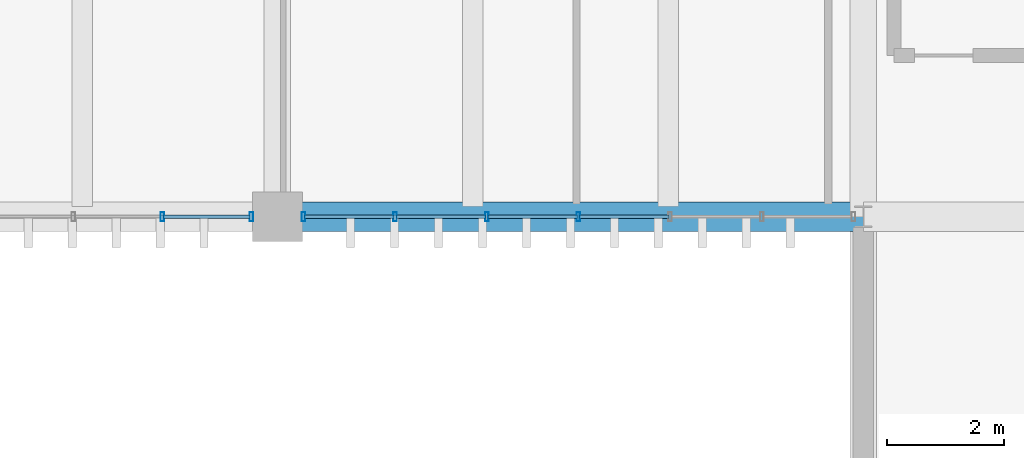
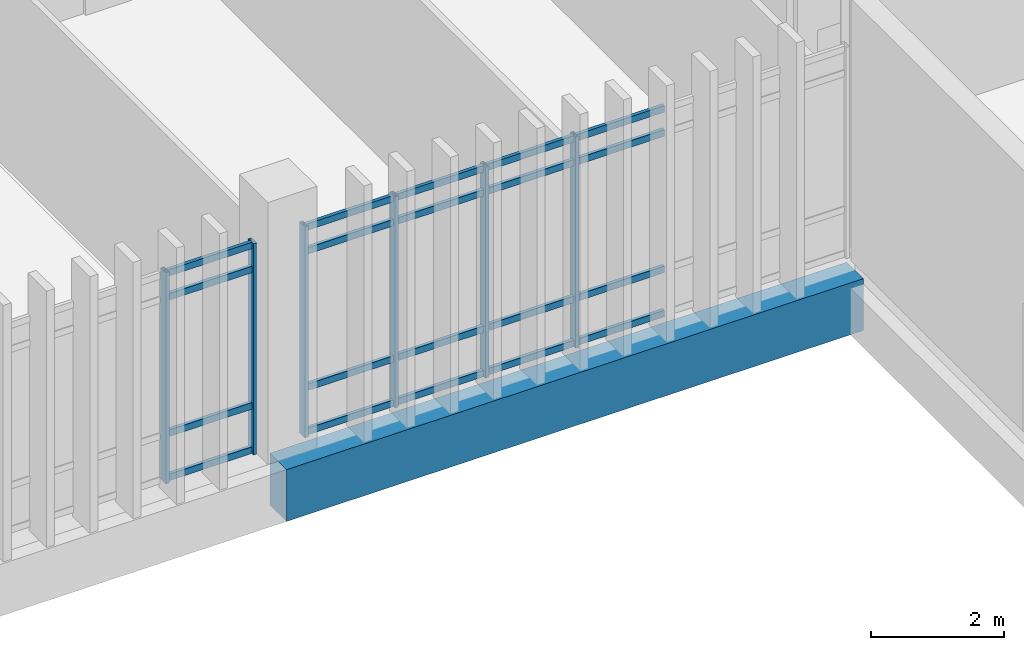
# One storey, part 46 of 87: 26 members, 1 beam, 2 elements without a shape of their own.
"""IFC4 building model written with IfcOpenShell, lengths in metres."""

from ifc_helpers import new_model, si_unit, direction, frame, origin, origin_2d, place, context, subcontext, project, spatial, rectangle, hollow_rectangle, extrude, material, layer, layer_set, material_profile, profile_set, type_object, element, aggregate, save


model = new_model("IFC4")

# Units and contexts
model_context = context("Model", 3, precision=1e-05, world=origin(), true_north=direction((0.0, 1.0)))
body_context = subcontext(model_context, "Body", "Model", "MODEL_VIEW")
ifc_project = project(units=[si_unit("LENGTHUNIT", "METRE"), si_unit("AREAUNIT", "SQUARE_METRE"), si_unit("VOLUMEUNIT", "CUBIC_METRE"), si_unit("PLANEANGLEUNIT", "RADIAN"), si_unit("MASSUNIT", "GRAM", prefix="KILO")], contexts=[model_context])

# Site, building, storey
site_placement = place(None, origin())
site = spatial("IfcSite", under=ifc_project, at=site_placement, CompositionType="ELEMENT")
building_placement = place(site_placement, origin())
building = spatial("IfcBuilding", under=site, at=building_placement, Name="Mersad Railyard Sports Hall", CompositionType="ELEMENT")
storey_placement = place(building_placement, origin())
storey = spatial("IfcBuildingStorey", under=building, at=storey_placement, Name="L00", CompositionType="ELEMENT", Elevation=0.0)

# Curtain wall, members
ifc_material_1 = material(Name="Aluminium 6063-T6", Category="aluminium")
ifc_layer_1 = layer(ifc_material_1, 0.159912109375)
ifc_layer_set_1 = layer_set([ifc_layer_1], Name="Aluminium 6063-T6")
curtain_wall_type_1 = type_object("IfcCurtainWallType", Name="ARC-CW-CW32", PredefinedType="USERDEFINED", material=ifc_layer_set_1)
curtain_wall_1_placement = place(storey_placement, origin())
curtain_wall_1 = element("IfcCurtainWall", 1, at=curtain_wall_1_placement, inside=storey, type_object=curtain_wall_type_1, Name="Curtain wall CW32-0093", ObjectType="CURTAIN WALL", PredefinedType="USERDEFINED")
ifc_material_profile_1 = material_profile(ifc_material_1, hollow_rectangle(XDim=0.06005859375, YDim=0.159912109375, WallThickness=0.00390625, at=origin_2d()), Name="AL MULLION 60x160x4")
ifc_profile_set_1 = profile_set([ifc_material_profile_1], Name="Aluminium 6063-T6")
member_type_1 = type_object("IfcMemberType", Name="ARC-CW-MUL01", PredefinedType="MULLION", material=ifc_profile_set_1)
member_1_placement = place(storey_placement, frame((120.554931640625, 85.0, -0.02001953125), z_axis=(0.0, 0.0, 1.0), x_axis=(1.0, 0.0, 0.0)))
member_1 = element("IfcMember", 2, at=member_1_placement, type_object=member_type_1, Name="CW32 Mullion 1", PredefinedType="MULLION", context=body_context, shape_type="SweptSolid", body=[
    extrude(hollow_rectangle(XDim=0.06005859375, YDim=0.159912109375, WallThickness=0.00390625, at=origin_2d()), origin(), (0.0, 0.0, 1.0), 3.8701171875),
])
member_2_placement = place(storey_placement, frame((119.03662109375, 85.0, -0.02001953125), z_axis=(0.0, 0.0, 1.0), x_axis=(1.0, 0.0, 0.0)))
member_2 = element("IfcMember", 3, at=member_2_placement, type_object=member_type_1, Name="CW32 Mullion 2", PredefinedType="MULLION", context=body_context, shape_type="SweptSolid", body=[
    extrude(hollow_rectangle(XDim=0.06005859375, YDim=0.159912109375, WallThickness=0.00390625, at=origin_2d()), origin(), (0.0, 0.0, 1.0), 3.8701171875),
])

ifc_layer_2 = layer(ifc_material_1, 0.159912109375)
ifc_layer_set_2 = layer_set([ifc_layer_2], Name="Aluminium 6063-T6")
curtain_wall_type_2 = type_object("IfcCurtainWallType", Name="ARC-CW-CW33", PredefinedType="USERDEFINED", material=ifc_layer_set_2)
curtain_wall_2_placement = place(storey_placement, origin())
curtain_wall_2 = element("IfcCurtainWall", 4, at=curtain_wall_2_placement, inside=storey, type_object=curtain_wall_type_2, Name="Curtain wall CW33-0094", ObjectType="CURTAIN WALL", PredefinedType="USERDEFINED")
member_3_placement = place(storey_placement, frame((126.137451171875, 85.0, -0.02001953125), z_axis=(0.0, 0.0, 1.0), x_axis=(1.0, 0.0, 0.0)))
member_3 = element("IfcMember", 5, at=member_3_placement, type_object=member_type_1, Name="CW33 Mullion 4", PredefinedType="MULLION", context=body_context, shape_type="SweptSolid", body=[
    extrude(hollow_rectangle(XDim=0.06005859375, YDim=0.159912109375, WallThickness=0.00390625, at=origin_2d()), origin(), (0.0, 0.0, 1.0), 3.8701171875),
])
member_4_placement = place(storey_placement, frame((124.5732421875, 85.0, -0.02001953125), z_axis=(0.0, 0.0, 1.0), x_axis=(1.0, 0.0, 0.0)))
member_4 = element("IfcMember", 6, at=member_4_placement, type_object=member_type_1, Name="CW33 Mullion 5", PredefinedType="MULLION", context=body_context, shape_type="SweptSolid", body=[
    extrude(hollow_rectangle(XDim=0.06005859375, YDim=0.159912109375, WallThickness=0.00390625, at=origin_2d()), origin(), (0.0, 0.0, 1.0), 3.8701171875),
])
member_5_placement = place(storey_placement, frame((123.00927734375, 85.0, -0.02001953125), z_axis=(0.0, 0.0, 1.0), x_axis=(1.0, 0.0, 0.0)))
member_5 = element("IfcMember", 7, at=member_5_placement, type_object=member_type_1, Name="CW33 Mullion 6", PredefinedType="MULLION", context=body_context, shape_type="SweptSolid", body=[
    extrude(hollow_rectangle(XDim=0.06005859375, YDim=0.159912109375, WallThickness=0.00390625, at=origin_2d()), origin(), (0.0, 0.0, 1.0), 3.8701171875),
])
member_6_placement = place(storey_placement, frame((121.445068359375, 85.0, -0.02001953125), z_axis=(0.0, 0.0, 1.0), x_axis=(1.0, 0.0, 0.0)))
member_6 = element("IfcMember", 8, at=member_6_placement, type_object=member_type_1, Name="CW33 Mullion 7", PredefinedType="MULLION", context=body_context, shape_type="SweptSolid", body=[
    extrude(hollow_rectangle(XDim=0.06005859375, YDim=0.159912109375, WallThickness=0.00390625, at=origin_2d()), origin(), (0.0, 0.0, 1.0), 3.8701171875),
])

# Member
ifc_material_profile_2 = material_profile(ifc_material_1, hollow_rectangle(XDim=0.06005859375, YDim=0.1201171875, WallThickness=0.00390625, at=origin_2d()), Name="AL TRANSOM 60x120x4")
ifc_profile_set_2 = profile_set([ifc_material_profile_2], Name="Aluminium 6063-T6")
member_type_2 = type_object("IfcMemberType", Name="ARC-CW-TRN01", PredefinedType="USERDEFINED", material=ifc_profile_set_2)
member_7_placement = place(storey_placement, frame((120.534912109375, 85.0, 0.0400390625), z_axis=(-1.0, 0.0, 0.0), x_axis=(0.0, -1.0, 0.0)))
member_7 = element("IfcMember", 9, at=member_7_placement, type_object=member_type_2, Name="CW32 Transom 1-1", ObjectType="TRANSOM", PredefinedType="USERDEFINED", context=body_context, shape_type="SweptSolid", body=[
    extrude(hollow_rectangle(XDim=0.06005859375, YDim=0.1201171875, WallThickness=0.00390625, at=origin_2d()), origin(), (0.0, 0.0, 1.0), 1.478271484375),
])

member_8_placement = place(storey_placement, frame((120.534912109375, 85.0, 0.85009765625), z_axis=(-1.0, 0.0, 0.0), x_axis=(0.0, -1.0, 0.0)))
member_8 = element("IfcMember", 10, at=member_8_placement, type_object=member_type_2, Name="CW32 Transom 2-1", ObjectType="TRANSOM", PredefinedType="USERDEFINED", context=body_context, shape_type="SweptSolid", body=[
    extrude(hollow_rectangle(XDim=0.06005859375, YDim=0.1201171875, WallThickness=0.00390625, at=origin_2d()), origin(), (0.0, 0.0, 1.0), 1.478271484375),
])

member_9_placement = place(storey_placement, frame((120.534912109375, 85.0, 3.35009765625), z_axis=(-1.0, 0.0, 0.0), x_axis=(0.0, -1.0, 0.0)))
member_9 = element("IfcMember", 11, at=member_9_placement, type_object=member_type_2, Name="CW32 Transom 3-1", ObjectType="TRANSOM", PredefinedType="USERDEFINED", context=body_context, shape_type="SweptSolid", body=[
    extrude(hollow_rectangle(XDim=0.06005859375, YDim=0.1201171875, WallThickness=0.00390625, at=origin_2d()), origin(), (0.0, 0.0, 1.0), 1.478271484375),
])

member_10_placement = place(storey_placement, frame((120.534912109375, 85.0, 3.7900390625), z_axis=(-1.0, 0.0, 0.0), x_axis=(0.0, -1.0, 0.0)))
member_10 = element("IfcMember", 12, at=member_10_placement, type_object=member_type_2, Name="CW32 Transom 4-1", ObjectType="TRANSOM", PredefinedType="USERDEFINED", context=body_context, shape_type="SweptSolid", body=[
    extrude(hollow_rectangle(XDim=0.06005859375, YDim=0.1201171875, WallThickness=0.00390625, at=origin_2d()), origin(), (0.0, 0.0, 1.0), 1.478271484375),
])

aggregate(curtain_wall_1, [member_1, member_2, member_7, member_8, member_9, member_10])

member_11_placement = place(storey_placement, frame((127.681640625, 85.0, 0.0400390625), z_axis=(-1.0, 0.0, 0.0), x_axis=(0.0, -1.0, 0.0)))
member_11 = element("IfcMember", 13, at=member_11_placement, type_object=member_type_2, Name="CW33 Transom 1-3", ObjectType="TRANSOM", PredefinedType="USERDEFINED", context=body_context, shape_type="SweptSolid", body=[
    extrude(hollow_rectangle(XDim=0.06005859375, YDim=0.1201171875, WallThickness=0.00390625, at=origin_2d()), origin(), (0.0, 0.0, 1.0), 1.524169921875),
])

member_12_placement = place(storey_placement, frame((126.117431640625, 85.0, 0.0400390625), z_axis=(-1.0, 0.0, 0.0), x_axis=(0.0, -1.0, 0.0)))
member_12 = element("IfcMember", 14, at=member_12_placement, type_object=member_type_2, Name="CW33 Transom 1-4", ObjectType="TRANSOM", PredefinedType="USERDEFINED", context=body_context, shape_type="SweptSolid", body=[
    extrude(hollow_rectangle(XDim=0.06005859375, YDim=0.1201171875, WallThickness=0.00390625, at=origin_2d()), origin(), (0.0, 0.0, 1.0), 1.524169921875),
])

member_13_placement = place(storey_placement, frame((124.55322265625, 85.0, 0.0400390625), z_axis=(-1.0, 0.0, 0.0), x_axis=(0.0, -1.0, 0.0)))
member_13 = element("IfcMember", 15, at=member_13_placement, type_object=member_type_2, Name="CW33 Transom 1-5", ObjectType="TRANSOM", PredefinedType="USERDEFINED", context=body_context, shape_type="SweptSolid", body=[
    extrude(hollow_rectangle(XDim=0.06005859375, YDim=0.1201171875, WallThickness=0.00390625, at=origin_2d()), origin(), (0.0, 0.0, 1.0), 1.524169921875),
])

member_14_placement = place(storey_placement, frame((122.9892578125, 85.0, 0.0400390625), z_axis=(-1.0, 0.0, 0.0), x_axis=(0.0, -1.0, 0.0)))
member_14 = element("IfcMember", 16, at=member_14_placement, type_object=member_type_2, Name="CW33 Transom 1-6", ObjectType="TRANSOM", PredefinedType="USERDEFINED", context=body_context, shape_type="SweptSolid", body=[
    extrude(hollow_rectangle(XDim=0.06005859375, YDim=0.1201171875, WallThickness=0.00390625, at=origin_2d()), origin(), (0.0, 0.0, 1.0), 1.524169921875),
])

member_15_placement = place(storey_placement, frame((127.681640625, 85.0, 0.85009765625), z_axis=(-1.0, 0.0, 0.0), x_axis=(0.0, -1.0, 0.0)))
member_15 = element("IfcMember", 17, at=member_15_placement, type_object=member_type_2, Name="CW33 Transom 2-3", ObjectType="TRANSOM", PredefinedType="USERDEFINED", context=body_context, shape_type="SweptSolid", body=[
    extrude(hollow_rectangle(XDim=0.06005859375, YDim=0.1201171875, WallThickness=0.00390625, at=origin_2d()), origin(), (0.0, 0.0, 1.0), 1.524169921875),
])

member_16_placement = place(storey_placement, frame((126.117431640625, 85.0, 0.85009765625), z_axis=(-1.0, 0.0, 0.0), x_axis=(0.0, -1.0, 0.0)))
member_16 = element("IfcMember", 18, at=member_16_placement, type_object=member_type_2, Name="CW33 Transom 2-4", ObjectType="TRANSOM", PredefinedType="USERDEFINED", context=body_context, shape_type="SweptSolid", body=[
    extrude(hollow_rectangle(XDim=0.06005859375, YDim=0.1201171875, WallThickness=0.00390625, at=origin_2d()), origin(), (0.0, 0.0, 1.0), 1.524169921875),
])

member_17_placement = place(storey_placement, frame((124.55322265625, 85.0, 0.85009765625), z_axis=(-1.0, 0.0, 0.0), x_axis=(0.0, -1.0, 0.0)))
member_17 = element("IfcMember", 19, at=member_17_placement, type_object=member_type_2, Name="CW33 Transom 2-5", ObjectType="TRANSOM", PredefinedType="USERDEFINED", context=body_context, shape_type="SweptSolid", body=[
    extrude(hollow_rectangle(XDim=0.06005859375, YDim=0.1201171875, WallThickness=0.00390625, at=origin_2d()), origin(), (0.0, 0.0, 1.0), 1.524169921875),
])

member_18_placement = place(storey_placement, frame((122.9892578125, 85.0, 0.85009765625), z_axis=(-1.0, 0.0, 0.0), x_axis=(0.0, -1.0, 0.0)))
member_18 = element("IfcMember", 20, at=member_18_placement, type_object=member_type_2, Name="CW33 Transom 2-6", ObjectType="TRANSOM", PredefinedType="USERDEFINED", context=body_context, shape_type="SweptSolid", body=[
    extrude(hollow_rectangle(XDim=0.06005859375, YDim=0.1201171875, WallThickness=0.00390625, at=origin_2d()), origin(), (0.0, 0.0, 1.0), 1.524169921875),
])

member_19_placement = place(storey_placement, frame((127.681640625, 85.0, 3.35009765625), z_axis=(-1.0, 0.0, 0.0), x_axis=(0.0, -1.0, 0.0)))
member_19 = element("IfcMember", 21, at=member_19_placement, type_object=member_type_2, Name="CW33 Transom 3-3", ObjectType="TRANSOM", PredefinedType="USERDEFINED", context=body_context, shape_type="SweptSolid", body=[
    extrude(hollow_rectangle(XDim=0.06005859375, YDim=0.1201171875, WallThickness=0.00390625, at=origin_2d()), origin(), (0.0, 0.0, 1.0), 1.524169921875),
])

member_20_placement = place(storey_placement, frame((126.117431640625, 85.0, 3.35009765625), z_axis=(-1.0, 0.0, 0.0), x_axis=(0.0, -1.0, 0.0)))
member_20 = element("IfcMember", 22, at=member_20_placement, type_object=member_type_2, Name="CW33 Transom 3-4", ObjectType="TRANSOM", PredefinedType="USERDEFINED", context=body_context, shape_type="SweptSolid", body=[
    extrude(hollow_rectangle(XDim=0.06005859375, YDim=0.1201171875, WallThickness=0.00390625, at=origin_2d()), origin(), (0.0, 0.0, 1.0), 1.524169921875),
])

member_21_placement = place(storey_placement, frame((124.55322265625, 85.0, 3.35009765625), z_axis=(-1.0, 0.0, 0.0), x_axis=(0.0, -1.0, 0.0)))
member_21 = element("IfcMember", 23, at=member_21_placement, type_object=member_type_2, Name="CW33 Transom 3-5", ObjectType="TRANSOM", PredefinedType="USERDEFINED", context=body_context, shape_type="SweptSolid", body=[
    extrude(hollow_rectangle(XDim=0.06005859375, YDim=0.1201171875, WallThickness=0.00390625, at=origin_2d()), origin(), (0.0, 0.0, 1.0), 1.524169921875),
])

member_22_placement = place(storey_placement, frame((122.9892578125, 85.0, 3.35009765625), z_axis=(-1.0, 0.0, 0.0), x_axis=(0.0, -1.0, 0.0)))
member_22 = element("IfcMember", 24, at=member_22_placement, type_object=member_type_2, Name="CW33 Transom 3-6", ObjectType="TRANSOM", PredefinedType="USERDEFINED", context=body_context, shape_type="SweptSolid", body=[
    extrude(hollow_rectangle(XDim=0.06005859375, YDim=0.1201171875, WallThickness=0.00390625, at=origin_2d()), origin(), (0.0, 0.0, 1.0), 1.524169921875),
])

member_23_placement = place(storey_placement, frame((127.681640625, 85.0, 3.7900390625), z_axis=(-1.0, 0.0, 0.0), x_axis=(0.0, -1.0, 0.0)))
member_23 = element("IfcMember", 25, at=member_23_placement, type_object=member_type_2, Name="CW33 Transom 4-3", ObjectType="TRANSOM", PredefinedType="USERDEFINED", context=body_context, shape_type="SweptSolid", body=[
    extrude(hollow_rectangle(XDim=0.06005859375, YDim=0.1201171875, WallThickness=0.00390625, at=origin_2d()), origin(), (0.0, 0.0, 1.0), 1.524169921875),
])

member_24_placement = place(storey_placement, frame((126.117431640625, 85.0, 3.7900390625), z_axis=(-1.0, 0.0, 0.0), x_axis=(0.0, -1.0, 0.0)))
member_24 = element("IfcMember", 26, at=member_24_placement, type_object=member_type_2, Name="CW33 Transom 4-4", ObjectType="TRANSOM", PredefinedType="USERDEFINED", context=body_context, shape_type="SweptSolid", body=[
    extrude(hollow_rectangle(XDim=0.06005859375, YDim=0.1201171875, WallThickness=0.00390625, at=origin_2d()), origin(), (0.0, 0.0, 1.0), 1.524169921875),
])

member_25_placement = place(storey_placement, frame((124.55322265625, 85.0, 3.7900390625), z_axis=(-1.0, 0.0, 0.0), x_axis=(0.0, -1.0, 0.0)))
member_25 = element("IfcMember", 27, at=member_25_placement, type_object=member_type_2, Name="CW33 Transom 4-5", ObjectType="TRANSOM", PredefinedType="USERDEFINED", context=body_context, shape_type="SweptSolid", body=[
    extrude(hollow_rectangle(XDim=0.06005859375, YDim=0.1201171875, WallThickness=0.00390625, at=origin_2d()), origin(), (0.0, 0.0, 1.0), 1.524169921875),
])

member_26_placement = place(storey_placement, frame((122.9892578125, 85.0, 3.7900390625), z_axis=(-1.0, 0.0, 0.0), x_axis=(0.0, -1.0, 0.0)))
member_26 = element("IfcMember", 28, at=member_26_placement, type_object=member_type_2, Name="CW33 Transom 4-6", ObjectType="TRANSOM", PredefinedType="USERDEFINED", context=body_context, shape_type="SweptSolid", body=[
    extrude(hollow_rectangle(XDim=0.06005859375, YDim=0.1201171875, WallThickness=0.00390625, at=origin_2d()), origin(), (0.0, 0.0, 1.0), 1.524169921875),
])

aggregate(curtain_wall_2, [member_3, member_4, member_5, member_6, member_11, member_12, member_13, member_14, member_15, member_16, member_17, member_18, member_19, member_20, member_21, member_22, member_23, member_24, member_25, member_26])

# Beam
ifc_material_2 = material(Name="Concrete C50/60", Category="concrete")
ifc_material_profile_3 = material_profile(ifc_material_2, rectangle(XDim=0.5, YDim=0.949951171875, at=origin_2d()), Name="RC 500x950")
ifc_profile_set_3 = profile_set([ifc_material_profile_3], Name="Concrete C50/60")
beam_type = type_object("IfcBeamType", Name="STR-BM-B03", PredefinedType="BEAM", material=ifc_profile_set_3)
beam_placement = place(storey_placement, frame((121.0, 85.0, -0.824951171875), z_axis=(1.0, 0.0, 0.0), x_axis=(0.0, 1.0, 0.0)))
element("IfcBeam", 29, at=beam_placement, inside=storey, type_object=beam_type, Name="Beam B03-0149", PredefinedType="BEAM", context=body_context, shape_type="SweptSolid", body=[
    extrude(rectangle(XDim=0.5, YDim=0.949951171875, at=origin_2d()), origin(), (0.0, 0.0, 1.0), 10.0),
])

save(model, "model.ifc")
